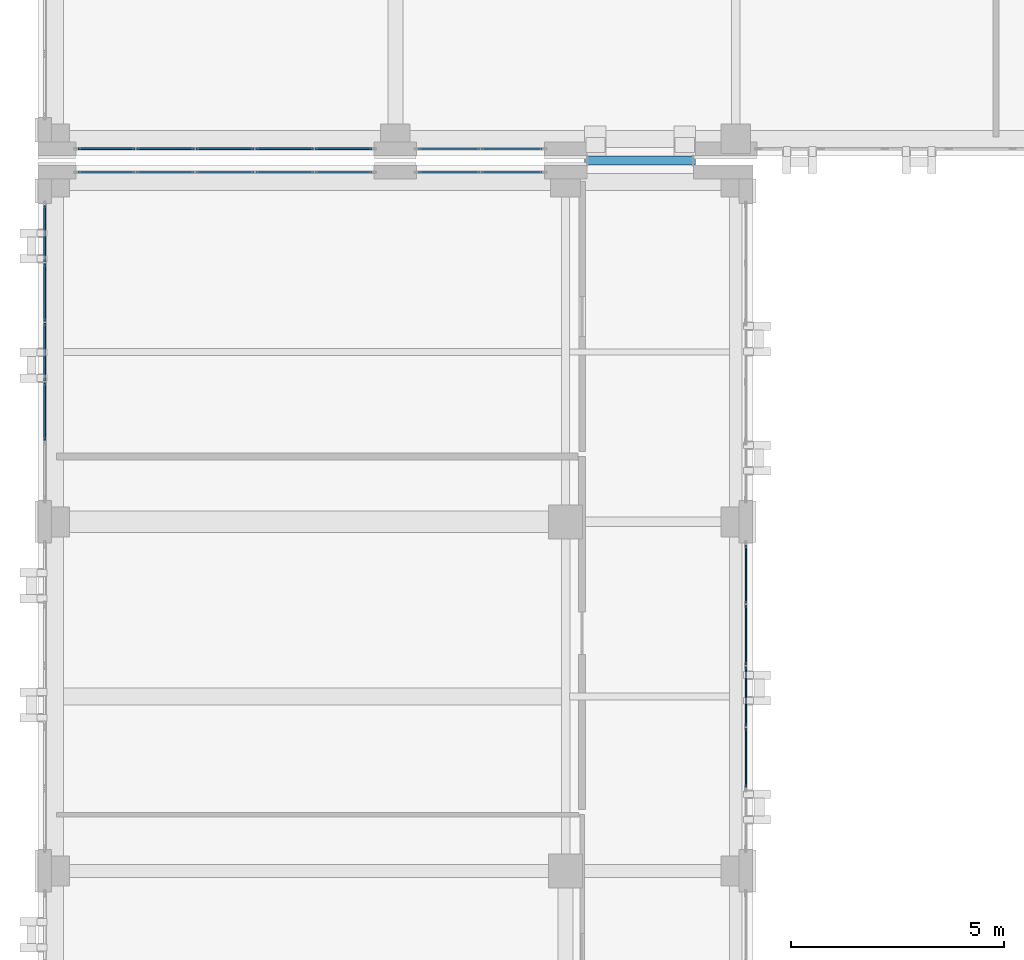
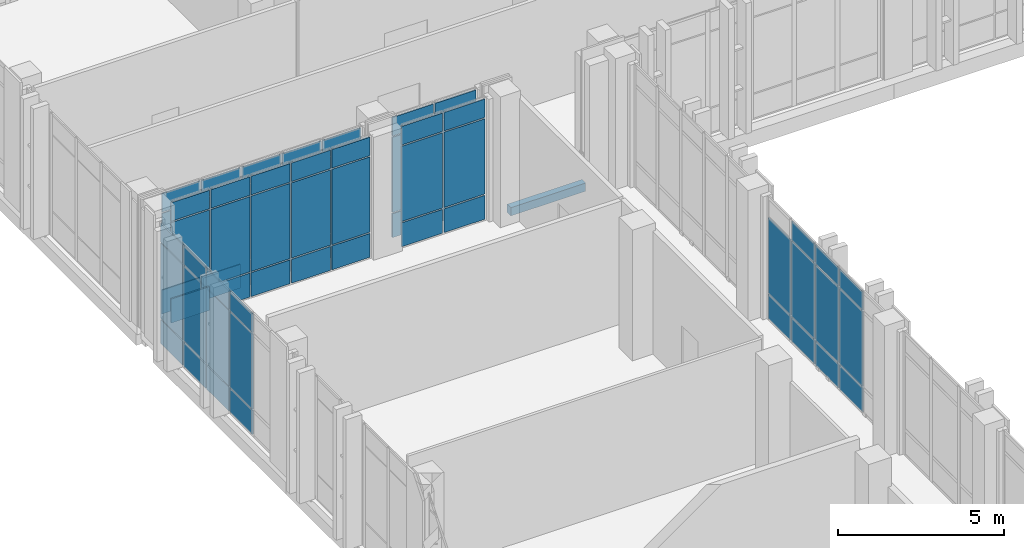
# One storey, part 141 of 189: 65 plates, 1 slab, 6 elements without a shape of their own.
"""IFC4 building model written with IfcOpenShell, lengths in metres."""

from ifc_helpers import new_model, si_unit, direction, frame, origin, origin_2d, place, context, subcontext, project, spatial, polyline, rectangle, outline, extrude, material, layer, layer_set, type_object, element, aggregate, save


model = new_model("IFC4")

# Units and contexts
model_context = context("Model", 3, precision=1e-05, world=origin(), true_north=direction((0.0, 1.0)))
body_context = subcontext(model_context, "Body", "Model", "MODEL_VIEW")
ifc_project = project(units=[si_unit("LENGTHUNIT", "METRE"), si_unit("AREAUNIT", "SQUARE_METRE"), si_unit("VOLUMEUNIT", "CUBIC_METRE"), si_unit("PLANEANGLEUNIT", "RADIAN"), si_unit("MASSUNIT", "GRAM", prefix="KILO")], contexts=[model_context])

# Site, building, storey
site_placement = place(None, origin())
site = spatial("IfcSite", under=ifc_project, at=site_placement, CompositionType="ELEMENT")
building_placement = place(site_placement, origin())
building = spatial("IfcBuilding", under=site, at=building_placement, Name="Qalavern Law Courts", CompositionType="ELEMENT")
storey_placement = place(building_placement, frame((0.0, 0.0, 5.39990234375)))
storey = spatial("IfcBuildingStorey", under=building, at=storey_placement, Name="L01", CompositionType="ELEMENT", Elevation=5.39990234375)

# Curtain wall, plates
ifc_material_1 = material(Name="Anodised aluminium and insulated glazing", Category="aluminium")
ifc_layer_1 = layer(ifc_material_1, 0.172119140625)
ifc_layer_set_1 = layer_set([ifc_layer_1], Name="Anodised aluminium and insulated glazing")
curtain_wall_type_1 = type_object("IfcCurtainWallType", Name="ENV-CW-COURT", PredefinedType="USERDEFINED", material=ifc_layer_set_1)
curtain_wall_1_placement = place(storey_placement, origin())
curtain_wall_1 = element("IfcCurtainWall", 1, at=curtain_wall_1_placement, inside=storey, type_object=curtain_wall_type_1, Name="V3 unitised curtain wall L01 east 6", ObjectType="UNITISED CURTAIN WALL", PredefinedType="USERDEFINED")
ifc_material_2 = material(Name="Insulated low-E acoustic glazing", Category="glass")
ifc_layer_2 = layer(ifc_material_2, 0.031982421875)
ifc_layer_set_2 = layer_set([ifc_layer_2], Name="Insulated low-E acoustic glazing")
plate_type_1 = type_object("IfcPlateType", Name="ENV-CWP-32", PredefinedType="CURTAIN_PANEL", material=ifc_layer_set_2)
plate_1_placement = place(storey_placement, frame((18.637451171875, 82.06005859375, 0.048095703125), z_axis=(0.0, 0.0, 1.0), x_axis=(0.0, 1.0, 0.0)))
plate_1 = element("IfcPlate", 2, at=plate_1_placement, type_object=plate_type_1, Name="CW-03 panel 2.1", PredefinedType="CURTAIN_PANEL", context=body_context, shape_type="SweptSolid", body=[
    extrude(rectangle(XDim=1.39208984375, YDim=0.031982421875, at=origin_2d()), origin(), (0.0, 0.0, 1.0), 0.8779296875),
])
plate_2_placement = place(storey_placement, frame((18.637451171875, 82.06005859375, 0.97412109375), z_axis=(0.0, 0.0, 1.0), x_axis=(0.0, 1.0, 0.0)))
plate_2 = element("IfcPlate", 3, at=plate_2_placement, type_object=plate_type_1, Name="CW-03 panel 2.2", PredefinedType="CURTAIN_PANEL", context=body_context, shape_type="SweptSolid", body=[
    extrude(rectangle(XDim=1.39208984375, YDim=0.031982421875, at=origin_2d()), origin(), (0.0, 0.0, 1.0), 2.761962890625),
])
plate_3_placement = place(storey_placement, frame((18.637451171875, 82.06005859375, 3.7841796875), z_axis=(0.0, 0.0, 1.0), x_axis=(0.0, 1.0, 0.0)))
plate_3 = element("IfcPlate", 4, at=plate_3_placement, type_object=plate_type_1, Name="CW-03 panel 2.3", PredefinedType="CURTAIN_PANEL", context=body_context, shape_type="SweptSolid", body=[
    extrude(rectangle(XDim=1.39208984375, YDim=0.031982421875, at=origin_2d()), origin(), (0.0, 0.0, 1.0), 0.677978515625),
])
plate_4_placement = place(storey_placement, frame((18.637451171875, 83.5, 0.048095703125), z_axis=(0.0, 0.0, 1.0), x_axis=(0.0, 1.0, 0.0)))
plate_4 = element("IfcPlate", 5, at=plate_4_placement, type_object=plate_type_1, Name="CW-03 panel 3.1", PredefinedType="CURTAIN_PANEL", context=body_context, shape_type="SweptSolid", body=[
    extrude(rectangle(XDim=1.39208984375, YDim=0.031982421875, at=origin_2d()), origin(), (0.0, 0.0, 1.0), 0.8779296875),
])
plate_5_placement = place(storey_placement, frame((18.637451171875, 83.5, 0.97412109375), z_axis=(0.0, 0.0, 1.0), x_axis=(0.0, 1.0, 0.0)))
plate_5 = element("IfcPlate", 6, at=plate_5_placement, type_object=plate_type_1, Name="CW-03 panel 3.2", PredefinedType="CURTAIN_PANEL", context=body_context, shape_type="SweptSolid", body=[
    extrude(rectangle(XDim=1.39208984375, YDim=0.031982421875, at=origin_2d()), origin(), (0.0, 0.0, 1.0), 2.761962890625),
])
plate_6_placement = place(storey_placement, frame((18.637451171875, 83.5, 3.7841796875), z_axis=(0.0, 0.0, 1.0), x_axis=(0.0, 1.0, 0.0)))
plate_6 = element("IfcPlate", 7, at=plate_6_placement, type_object=plate_type_1, Name="CW-03 panel 3.3", PredefinedType="CURTAIN_PANEL", context=body_context, shape_type="SweptSolid", body=[
    extrude(rectangle(XDim=1.39208984375, YDim=0.031982421875, at=origin_2d()), origin(), (0.0, 0.0, 1.0), 0.677978515625),
])
plate_7_placement = place(storey_placement, frame((18.637451171875, 84.93994140625, 0.048095703125), z_axis=(0.0, 0.0, 1.0), x_axis=(0.0, 1.0, 0.0)))
plate_7 = element("IfcPlate", 8, at=plate_7_placement, type_object=plate_type_1, Name="CW-03 panel 4.1", PredefinedType="CURTAIN_PANEL", context=body_context, shape_type="SweptSolid", body=[
    extrude(rectangle(XDim=1.39208984375, YDim=0.031982421875, at=origin_2d()), origin(), (0.0, 0.0, 1.0), 0.8779296875),
])
plate_8_placement = place(storey_placement, frame((18.637451171875, 84.93994140625, 0.97412109375), z_axis=(0.0, 0.0, 1.0), x_axis=(0.0, 1.0, 0.0)))
plate_8 = element("IfcPlate", 9, at=plate_8_placement, type_object=plate_type_1, Name="CW-03 panel 4.2", PredefinedType="CURTAIN_PANEL", context=body_context, shape_type="SweptSolid", body=[
    extrude(rectangle(XDim=1.39208984375, YDim=0.031982421875, at=origin_2d()), origin(), (0.0, 0.0, 1.0), 2.761962890625),
])
plate_9_placement = place(storey_placement, frame((18.637451171875, 84.93994140625, 3.7841796875), z_axis=(0.0, 0.0, 1.0), x_axis=(0.0, 1.0, 0.0)))
plate_9 = element("IfcPlate", 10, at=plate_9_placement, type_object=plate_type_1, Name="CW-03 panel 4.3", PredefinedType="CURTAIN_PANEL", context=body_context, shape_type="SweptSolid", body=[
    extrude(rectangle(XDim=1.39208984375, YDim=0.031982421875, at=origin_2d()), origin(), (0.0, 0.0, 1.0), 0.677978515625),
])
plate_10_placement = place(storey_placement, frame((18.637451171875, 86.367919921875, 0.048095703125), z_axis=(0.0, 0.0, 1.0), x_axis=(0.0, 1.0, 0.0)))
plate_10 = element("IfcPlate", 11, at=plate_10_placement, type_object=plate_type_1, Name="CW-03 panel 5.1", PredefinedType="CURTAIN_PANEL", context=body_context, shape_type="SweptSolid", body=[
    extrude(rectangle(XDim=1.367919921875, YDim=0.031982421875, at=origin_2d()), origin(), (0.0, 0.0, 1.0), 0.8779296875),
])
plate_11_placement = place(storey_placement, frame((18.637451171875, 86.367919921875, 0.97412109375), z_axis=(0.0, 0.0, 1.0), x_axis=(0.0, 1.0, 0.0)))
plate_11 = element("IfcPlate", 12, at=plate_11_placement, type_object=plate_type_1, Name="CW-03 panel 5.2", PredefinedType="CURTAIN_PANEL", context=body_context, shape_type="SweptSolid", body=[
    extrude(rectangle(XDim=1.367919921875, YDim=0.031982421875, at=origin_2d()), origin(), (0.0, 0.0, 1.0), 2.761962890625),
])
aggregate(curtain_wall_1, [plate_1, plate_2, plate_3, plate_4, plate_5, plate_6, plate_7, plate_8, plate_9, plate_10, plate_11])

curtain_wall_2_placement = place(storey_placement, origin())
curtain_wall_2 = element("IfcCurtainWall", 13, at=curtain_wall_2_placement, inside=storey, type_object=curtain_wall_type_1, Name="V3 unitised curtain wall L01 west 1", ObjectType="UNITISED CURTAIN WALL", PredefinedType="USERDEFINED")
ifc_layer_3 = layer(ifc_material_2, 0.0439453125)
ifc_layer_set_3 = layer_set([ifc_layer_3], Name="Insulated low-E acoustic glazing")
plate_type_2 = type_object("IfcPlateType", Name="ENV-CWP-44", PredefinedType="CURTAIN_PANEL", material=ifc_layer_set_3)
plate_12_placement = place(storey_placement, frame((2.16259765625, 94.3701171875, 0.048095703125), z_axis=(0.0, 0.0, 1.0), x_axis=(0.0, -1.0, 0.0)))
plate_12 = element("IfcPlate", 14, at=plate_12_placement, type_object=plate_type_2, Name="CW-03 panel 1.1", PredefinedType="CURTAIN_PANEL", context=body_context, shape_type="SweptSolid", body=[
    extrude(rectangle(XDim=1.323974609375, YDim=0.0439453125, at=origin_2d()), origin(), (0.0, 0.0, 1.0), 0.8779296875),
])
plate_13_placement = place(storey_placement, frame((2.16259765625, 94.3701171875, 0.97412109375), z_axis=(0.0, 0.0, 1.0), x_axis=(0.0, -1.0, 0.0)))
plate_13 = element("IfcPlate", 15, at=plate_13_placement, type_object=plate_type_2, Name="CW-03 panel 1.2", PredefinedType="CURTAIN_PANEL", context=body_context, shape_type="SweptSolid", body=[
    extrude(rectangle(XDim=1.323974609375, YDim=0.0439453125, at=origin_2d()), origin(), (0.0, 0.0, 1.0), 2.761962890625),
])
plate_14_placement = place(storey_placement, frame((2.16259765625, 94.3701171875, 3.7841796875), z_axis=(0.0, 0.0, 1.0), x_axis=(0.0, -1.0, 0.0)))
plate_14 = element("IfcPlate", 16, at=plate_14_placement, type_object=plate_type_2, Name="CW-03 panel 1.3", PredefinedType="CURTAIN_PANEL", context=body_context, shape_type="SweptSolid", body=[
    extrude(rectangle(XDim=1.323974609375, YDim=0.0439453125, at=origin_2d()), origin(), (0.0, 0.0, 1.0), 0.677978515625),
])
plate_15_placement = place(storey_placement, frame((2.16259765625, 92.986083984375, 0.048095703125), z_axis=(0.0, 0.0, 1.0), x_axis=(0.0, -1.0, 0.0)))
plate_15 = element("IfcPlate", 17, at=plate_15_placement, type_object=plate_type_2, Name="CW-03 panel 2.1", PredefinedType="CURTAIN_PANEL", context=body_context, shape_type="SweptSolid", body=[
    extrude(rectangle(XDim=1.347900390625, YDim=0.0439453125, at=origin_2d()), origin(), (0.0, 0.0, 1.0), 0.8779296875),
])
plate_16_placement = place(storey_placement, frame((2.16259765625, 92.986083984375, 0.97412109375), z_axis=(0.0, 0.0, 1.0), x_axis=(0.0, -1.0, 0.0)))
plate_16 = element("IfcPlate", 18, at=plate_16_placement, type_object=plate_type_2, Name="CW-03 panel 2.2", PredefinedType="CURTAIN_PANEL", context=body_context, shape_type="SweptSolid", body=[
    extrude(rectangle(XDim=1.347900390625, YDim=0.0439453125, at=origin_2d()), origin(), (0.0, 0.0, 1.0), 2.761962890625),
])
plate_17_placement = place(storey_placement, frame((2.16259765625, 92.986083984375, 3.7841796875), z_axis=(0.0, 0.0, 1.0), x_axis=(0.0, -1.0, 0.0)))
plate_17 = element("IfcPlate", 19, at=plate_17_placement, type_object=plate_type_2, Name="CW-03 panel 2.3", PredefinedType="CURTAIN_PANEL", context=body_context, shape_type="SweptSolid", body=[
    extrude(rectangle(XDim=1.347900390625, YDim=0.0439453125, at=origin_2d()), origin(), (0.0, 0.0, 1.0), 0.677978515625),
])
plate_18_placement = place(storey_placement, frame((2.16259765625, 91.590087890625, 0.048095703125), z_axis=(0.0, 0.0, 1.0), x_axis=(0.0, -1.0, 0.0)))
plate_18 = element("IfcPlate", 20, at=plate_18_placement, type_object=plate_type_2, Name="CW-03 panel 3.1", PredefinedType="CURTAIN_PANEL", context=body_context, shape_type="SweptSolid", body=[
    extrude(rectangle(XDim=1.347900390625, YDim=0.0439453125, at=origin_2d()), origin(), (0.0, 0.0, 1.0), 0.8779296875),
])
plate_19_placement = place(storey_placement, frame((2.16259765625, 91.590087890625, 0.97412109375), z_axis=(0.0, 0.0, 1.0), x_axis=(0.0, -1.0, 0.0)))
plate_19 = element("IfcPlate", 21, at=plate_19_placement, type_object=plate_type_2, Name="CW-03 panel 3.2", PredefinedType="CURTAIN_PANEL", context=body_context, shape_type="SweptSolid", body=[
    extrude(rectangle(XDim=1.347900390625, YDim=0.0439453125, at=origin_2d()), origin(), (0.0, 0.0, 1.0), 2.761962890625),
])
plate_20_placement = place(storey_placement, frame((2.16259765625, 91.590087890625, 3.7841796875), z_axis=(0.0, 0.0, 1.0), x_axis=(0.0, -1.0, 0.0)))
plate_20 = element("IfcPlate", 22, at=plate_20_placement, type_object=plate_type_2, Name="CW-03 panel 3.3", PredefinedType="CURTAIN_PANEL", context=body_context, shape_type="SweptSolid", body=[
    extrude(rectangle(XDim=1.347900390625, YDim=0.0439453125, at=origin_2d()), origin(), (0.0, 0.0, 1.0), 0.677978515625),
])
plate_21_placement = place(storey_placement, frame((2.16259765625, 90.194091796875, 0.048095703125), z_axis=(0.0, 0.0, 1.0), x_axis=(0.0, -1.0, 0.0)))
plate_21 = element("IfcPlate", 23, at=plate_21_placement, type_object=plate_type_2, Name="CW-03 panel 4.1", PredefinedType="CURTAIN_PANEL", context=body_context, shape_type="SweptSolid", body=[
    extrude(rectangle(XDim=1.347900390625, YDim=0.0439453125, at=origin_2d()), origin(), (0.0, 0.0, 1.0), 0.8779296875),
])
plate_22_placement = place(storey_placement, frame((2.16259765625, 90.194091796875, 0.97412109375), z_axis=(0.0, 0.0, 1.0), x_axis=(0.0, -1.0, 0.0)))
plate_22 = element("IfcPlate", 24, at=plate_22_placement, type_object=plate_type_2, Name="CW-03 panel 4.2", PredefinedType="CURTAIN_PANEL", context=body_context, shape_type="SweptSolid", body=[
    extrude(rectangle(XDim=1.347900390625, YDim=0.0439453125, at=origin_2d()), origin(), (0.0, 0.0, 1.0), 2.761962890625),
])
plate_23_placement = place(storey_placement, frame((2.16259765625, 90.194091796875, 3.7841796875), z_axis=(0.0, 0.0, 1.0), x_axis=(0.0, -1.0, 0.0)))
plate_23 = element("IfcPlate", 25, at=plate_23_placement, type_object=plate_type_2, Name="CW-03 panel 4.3", PredefinedType="CURTAIN_PANEL", context=body_context, shape_type="SweptSolid", body=[
    extrude(rectangle(XDim=1.347900390625, YDim=0.0439453125, at=origin_2d()), origin(), (0.0, 0.0, 1.0), 0.677978515625),
])
aggregate(curtain_wall_2, [plate_12, plate_13, plate_14, plate_15, plate_16, plate_17, plate_18, plate_19, plate_20, plate_21, plate_22, plate_23])

ifc_layer_4 = layer(ifc_material_1, 0.166015625)
ifc_layer_set_4 = layer_set([ifc_layer_4], Name="Anodised aluminium and insulated glazing")
curtain_wall_type_2 = type_object("IfcCurtainWallType", Name="ENV-CW-LIB", PredefinedType="USERDEFINED", material=ifc_layer_set_4)
curtain_wall_3_placement = place(storey_placement, origin())
curtain_wall_3 = element("IfcCurtainWall", 26, at=curtain_wall_3_placement, inside=storey, type_object=curtain_wall_type_2, Name="V5 unitised curtain wall L01 south 1", ObjectType="UNITISED CURTAIN WALL", PredefinedType="USERDEFINED")
plate_24_placement = place(storey_placement, frame((3.612060546875, 96.362548828125, 0.048095703125), z_axis=(0.0, 0.0, 1.0), x_axis=(1.0, 0.0, 0.0)))
plate_24 = element("IfcPlate", 27, at=plate_24_placement, type_object=plate_type_2, Name="CW-05 panel 1.1", PredefinedType="CURTAIN_PANEL", context=body_context, shape_type="SweptSolid", body=[
    extrude(rectangle(XDim=1.327880859375, YDim=0.0439453125, at=origin_2d()), origin(), (0.0, 0.0, 1.0), 0.8779296875),
])
plate_25_placement = place(storey_placement, frame((3.612060546875, 96.362548828125, 0.97412109375), z_axis=(0.0, 0.0, 1.0), x_axis=(1.0, 0.0, 0.0)))
plate_25 = element("IfcPlate", 28, at=plate_25_placement, type_object=plate_type_2, Name="CW-05 panel 1.2", PredefinedType="CURTAIN_PANEL", context=body_context, shape_type="SweptSolid", body=[
    extrude(rectangle(XDim=1.327880859375, YDim=0.0439453125, at=origin_2d()), origin(), (0.0, 0.0, 1.0), 2.761962890625),
])
plate_26_placement = place(storey_placement, frame((3.612060546875, 96.362548828125, 3.7841796875), z_axis=(0.0, 0.0, 1.0), x_axis=(1.0, 0.0, 0.0)))
plate_26 = element("IfcPlate", 29, at=plate_26_placement, type_object=plate_type_2, Name="CW-05 panel 1.3", PredefinedType="CURTAIN_PANEL", context=body_context, shape_type="SweptSolid", body=[
    extrude(rectangle(XDim=1.327880859375, YDim=0.0439453125, at=origin_2d()), origin(), (0.0, 0.0, 1.0), 0.677978515625),
])
plate_27_placement = place(storey_placement, frame((5.0, 96.362548828125, 0.048095703125), z_axis=(0.0, 0.0, 1.0), x_axis=(1.0, 0.0, 0.0)))
plate_27 = element("IfcPlate", 30, at=plate_27_placement, type_object=plate_type_2, Name="CW-05 panel 2.1", PredefinedType="CURTAIN_PANEL", context=body_context, shape_type="SweptSolid", body=[
    extrude(rectangle(XDim=1.35205078125, YDim=0.0439453125, at=origin_2d()), origin(), (0.0, 0.0, 1.0), 0.8779296875),
])
plate_28_placement = place(storey_placement, frame((5.0, 96.362548828125, 0.97412109375), z_axis=(0.0, 0.0, 1.0), x_axis=(1.0, 0.0, 0.0)))
plate_28 = element("IfcPlate", 31, at=plate_28_placement, type_object=plate_type_2, Name="CW-05 panel 2.2", PredefinedType="CURTAIN_PANEL", context=body_context, shape_type="SweptSolid", body=[
    extrude(rectangle(XDim=1.35205078125, YDim=0.0439453125, at=origin_2d()), origin(), (0.0, 0.0, 1.0), 2.761962890625),
])
plate_29_placement = place(storey_placement, frame((5.0, 96.362548828125, 3.7841796875), z_axis=(0.0, 0.0, 1.0), x_axis=(1.0, 0.0, 0.0)))
plate_29 = element("IfcPlate", 32, at=plate_29_placement, type_object=plate_type_2, Name="CW-05 panel 2.3", PredefinedType="CURTAIN_PANEL", context=body_context, shape_type="SweptSolid", body=[
    extrude(rectangle(XDim=1.35205078125, YDim=0.0439453125, at=origin_2d()), origin(), (0.0, 0.0, 1.0), 0.677978515625),
])
plate_30_placement = place(storey_placement, frame((6.39990234375, 96.362548828125, 0.048095703125), z_axis=(0.0, 0.0, 1.0), x_axis=(1.0, 0.0, 0.0)))
plate_30 = element("IfcPlate", 33, at=plate_30_placement, type_object=plate_type_2, Name="CW-05 panel 3.1", PredefinedType="CURTAIN_PANEL", context=body_context, shape_type="SweptSolid", body=[
    extrude(rectangle(XDim=1.35205078125, YDim=0.0439453125, at=origin_2d()), origin(), (0.0, 0.0, 1.0), 0.8779296875),
])
plate_31_placement = place(storey_placement, frame((6.39990234375, 96.362548828125, 0.97412109375), z_axis=(0.0, 0.0, 1.0), x_axis=(1.0, 0.0, 0.0)))
plate_31 = element("IfcPlate", 34, at=plate_31_placement, type_object=plate_type_2, Name="CW-05 panel 3.2", PredefinedType="CURTAIN_PANEL", context=body_context, shape_type="SweptSolid", body=[
    extrude(rectangle(XDim=1.35205078125, YDim=0.0439453125, at=origin_2d()), origin(), (0.0, 0.0, 1.0), 2.761962890625),
])
plate_32_placement = place(storey_placement, frame((6.39990234375, 96.362548828125, 3.7841796875), z_axis=(0.0, 0.0, 1.0), x_axis=(1.0, 0.0, 0.0)))
plate_32 = element("IfcPlate", 35, at=plate_32_placement, type_object=plate_type_2, Name="CW-05 panel 3.3", PredefinedType="CURTAIN_PANEL", context=body_context, shape_type="SweptSolid", body=[
    extrude(rectangle(XDim=1.35205078125, YDim=0.0439453125, at=origin_2d()), origin(), (0.0, 0.0, 1.0), 0.677978515625),
])
plate_33_placement = place(storey_placement, frame((7.800048828125, 96.362548828125, 0.048095703125), z_axis=(0.0, 0.0, 1.0), x_axis=(1.0, 0.0, 0.0)))
plate_33 = element("IfcPlate", 36, at=plate_33_placement, type_object=plate_type_2, Name="CW-05 panel 4.1", PredefinedType="CURTAIN_PANEL", context=body_context, shape_type="SweptSolid", body=[
    extrude(rectangle(XDim=1.35205078125, YDim=0.0439453125, at=origin_2d()), origin(), (0.0, 0.0, 1.0), 0.8779296875),
])
plate_34_placement = place(storey_placement, frame((7.800048828125, 96.362548828125, 0.97412109375), z_axis=(0.0, 0.0, 1.0), x_axis=(1.0, 0.0, 0.0)))
plate_34 = element("IfcPlate", 37, at=plate_34_placement, type_object=plate_type_2, Name="CW-05 panel 4.2", PredefinedType="CURTAIN_PANEL", context=body_context, shape_type="SweptSolid", body=[
    extrude(rectangle(XDim=1.35205078125, YDim=0.0439453125, at=origin_2d()), origin(), (0.0, 0.0, 1.0), 2.761962890625),
])
plate_35_placement = place(storey_placement, frame((7.800048828125, 96.362548828125, 3.7841796875), z_axis=(0.0, 0.0, 1.0), x_axis=(1.0, 0.0, 0.0)))
plate_35 = element("IfcPlate", 38, at=plate_35_placement, type_object=plate_type_2, Name="CW-05 panel 4.3", PredefinedType="CURTAIN_PANEL", context=body_context, shape_type="SweptSolid", body=[
    extrude(rectangle(XDim=1.35205078125, YDim=0.0439453125, at=origin_2d()), origin(), (0.0, 0.0, 1.0), 0.677978515625),
])
plate_36_placement = place(storey_placement, frame((9.18798828125, 96.362548828125, 0.048095703125), z_axis=(0.0, 0.0, 1.0), x_axis=(1.0, 0.0, 0.0)))
plate_36 = element("IfcPlate", 39, at=plate_36_placement, type_object=plate_type_2, Name="CW-05 panel 5.1", PredefinedType="CURTAIN_PANEL", context=body_context, shape_type="SweptSolid", body=[
    extrude(rectangle(XDim=1.327880859375, YDim=0.0439453125, at=origin_2d()), origin(), (0.0, 0.0, 1.0), 0.8779296875),
])
plate_37_placement = place(storey_placement, frame((9.18798828125, 96.362548828125, 0.97412109375), z_axis=(0.0, 0.0, 1.0), x_axis=(1.0, 0.0, 0.0)))
plate_37 = element("IfcPlate", 40, at=plate_37_placement, type_object=plate_type_2, Name="CW-05 panel 5.2", PredefinedType="CURTAIN_PANEL", context=body_context, shape_type="SweptSolid", body=[
    extrude(rectangle(XDim=1.327880859375, YDim=0.0439453125, at=origin_2d()), origin(), (0.0, 0.0, 1.0), 2.761962890625),
])
plate_38_placement = place(storey_placement, frame((9.18798828125, 96.362548828125, 3.7841796875), z_axis=(0.0, 0.0, 1.0), x_axis=(1.0, 0.0, 0.0)))
plate_38 = element("IfcPlate", 41, at=plate_38_placement, type_object=plate_type_2, Name="CW-05 panel 5.3", PredefinedType="CURTAIN_PANEL", context=body_context, shape_type="SweptSolid", body=[
    extrude(rectangle(XDim=1.327880859375, YDim=0.0439453125, at=origin_2d()), origin(), (0.0, 0.0, 1.0), 0.677978515625),
])
aggregate(curtain_wall_3, [plate_24, plate_25, plate_26, plate_27, plate_28, plate_29, plate_30, plate_31, plate_32, plate_33, plate_34, plate_35, plate_36, plate_37, plate_38])

curtain_wall_4_placement = place(storey_placement, origin())
curtain_wall_4 = element("IfcCurtainWall", 42, at=curtain_wall_4_placement, inside=storey, type_object=curtain_wall_type_1, Name="V3 unitised curtain wall L01 north 1", ObjectType="UNITISED CURTAIN WALL", PredefinedType="USERDEFINED")
ifc_layer_5 = layer(ifc_material_2, 0.048095703125)
ifc_layer_set_5 = layer_set([ifc_layer_5], Name="Insulated low-E acoustic glazing")
plate_type_3 = type_object("IfcPlateType", Name="ENV-CWP-48", PredefinedType="CURTAIN_PANEL", material=ifc_layer_set_5)
plate_39_placement = place(storey_placement, frame((13.137939453125, 95.8173828125, 0.048095703125), z_axis=(0.0, 0.0, 1.0), x_axis=(-1.0, 0.0, 0.0)))
plate_39 = element("IfcPlate", 43, at=plate_39_placement, type_object=plate_type_3, Name="CW-03 panel 1.1", PredefinedType="CURTAIN_PANEL", context=body_context, shape_type="SweptSolid", body=[
    extrude(rectangle(XDim=1.427978515625, YDim=0.048095703125, at=origin_2d()), origin(), (0.0, 0.0, 1.0), 0.8779296875),
])
plate_40_placement = place(storey_placement, frame((13.137939453125, 95.8173828125, 0.97412109375), z_axis=(0.0, 0.0, 1.0), x_axis=(-1.0, 0.0, 0.0)))
plate_40 = element("IfcPlate", 44, at=plate_40_placement, type_object=plate_type_3, Name="CW-03 panel 1.2", PredefinedType="CURTAIN_PANEL", context=body_context, shape_type="SweptSolid", body=[
    extrude(rectangle(XDim=1.427978515625, YDim=0.048095703125, at=origin_2d()), origin(), (0.0, 0.0, 1.0), 2.761962890625),
])
plate_41_placement = place(storey_placement, frame((13.137939453125, 95.8173828125, 3.7841796875), z_axis=(0.0, 0.0, 1.0), x_axis=(-1.0, 0.0, 0.0)))
plate_41 = element("IfcPlate", 45, at=plate_41_placement, type_object=plate_type_3, Name="CW-03 panel 1.3", PredefinedType="CURTAIN_PANEL", context=body_context, shape_type="SweptSolid", body=[
    extrude(rectangle(XDim=1.427978515625, YDim=0.048095703125, at=origin_2d()), origin(), (0.0, 0.0, 1.0), 0.677978515625),
])
plate_42_placement = place(storey_placement, frame((11.662109375, 95.8173828125, 0.048095703125), z_axis=(0.0, 0.0, 1.0), x_axis=(-1.0, 0.0, 0.0)))
plate_42 = element("IfcPlate", 46, at=plate_42_placement, type_object=plate_type_3, Name="CW-03 panel 2.1", PredefinedType="CURTAIN_PANEL", context=body_context, shape_type="SweptSolid", body=[
    extrude(rectangle(XDim=1.427978515625, YDim=0.048095703125, at=origin_2d()), origin(), (0.0, 0.0, 1.0), 0.8779296875),
])
plate_43_placement = place(storey_placement, frame((11.662109375, 95.8173828125, 0.97412109375), z_axis=(0.0, 0.0, 1.0), x_axis=(-1.0, 0.0, 0.0)))
plate_43 = element("IfcPlate", 47, at=plate_43_placement, type_object=plate_type_3, Name="CW-03 panel 2.2", PredefinedType="CURTAIN_PANEL", context=body_context, shape_type="SweptSolid", body=[
    extrude(rectangle(XDim=1.427978515625, YDim=0.048095703125, at=origin_2d()), origin(), (0.0, 0.0, 1.0), 2.761962890625),
])
plate_44_placement = place(storey_placement, frame((11.662109375, 95.8173828125, 3.7841796875), z_axis=(0.0, 0.0, 1.0), x_axis=(-1.0, 0.0, 0.0)))
plate_44 = element("IfcPlate", 48, at=plate_44_placement, type_object=plate_type_3, Name="CW-03 panel 2.3", PredefinedType="CURTAIN_PANEL", context=body_context, shape_type="SweptSolid", body=[
    extrude(rectangle(XDim=1.427978515625, YDim=0.048095703125, at=origin_2d()), origin(), (0.0, 0.0, 1.0), 0.677978515625),
])
aggregate(curtain_wall_4, [plate_39, plate_40, plate_41, plate_42, plate_43, plate_44])

curtain_wall_5_placement = place(storey_placement, origin())
curtain_wall_5 = element("IfcCurtainWall", 49, at=curtain_wall_5_placement, inside=storey, type_object=curtain_wall_type_2, Name="V5 unitised curtain wall L01 south 2", ObjectType="UNITISED CURTAIN WALL", PredefinedType="USERDEFINED")
plate_45_placement = place(storey_placement, frame((11.662109375, 96.362548828125, 0.048095703125), z_axis=(0.0, 0.0, 1.0), x_axis=(1.0, 0.0, 0.0)))
plate_45 = element("IfcPlate", 50, at=plate_45_placement, type_object=plate_type_3, Name="CW-05 panel 1.1", PredefinedType="CURTAIN_PANEL", context=body_context, shape_type="SweptSolid", body=[
    extrude(rectangle(XDim=1.427978515625, YDim=0.048095703125, at=origin_2d()), origin(), (0.0, 0.0, 1.0), 0.8779296875),
])
plate_46_placement = place(storey_placement, frame((11.662109375, 96.362548828125, 0.97412109375), z_axis=(0.0, 0.0, 1.0), x_axis=(1.0, 0.0, 0.0)))
plate_46 = element("IfcPlate", 51, at=plate_46_placement, type_object=plate_type_3, Name="CW-05 panel 1.2", PredefinedType="CURTAIN_PANEL", context=body_context, shape_type="SweptSolid", body=[
    extrude(rectangle(XDim=1.427978515625, YDim=0.048095703125, at=origin_2d()), origin(), (0.0, 0.0, 1.0), 2.761962890625),
])
plate_47_placement = place(storey_placement, frame((11.662109375, 96.362548828125, 3.7841796875), z_axis=(0.0, 0.0, 1.0), x_axis=(1.0, 0.0, 0.0)))
plate_47 = element("IfcPlate", 52, at=plate_47_placement, type_object=plate_type_3, Name="CW-05 panel 1.3", PredefinedType="CURTAIN_PANEL", context=body_context, shape_type="SweptSolid", body=[
    extrude(rectangle(XDim=1.427978515625, YDim=0.048095703125, at=origin_2d()), origin(), (0.0, 0.0, 1.0), 0.677978515625),
])
plate_48_placement = place(storey_placement, frame((13.137939453125, 96.362548828125, 0.048095703125), z_axis=(0.0, 0.0, 1.0), x_axis=(1.0, 0.0, 0.0)))
plate_48 = element("IfcPlate", 53, at=plate_48_placement, type_object=plate_type_3, Name="CW-05 panel 2.1", PredefinedType="CURTAIN_PANEL", context=body_context, shape_type="SweptSolid", body=[
    extrude(rectangle(XDim=1.427978515625, YDim=0.048095703125, at=origin_2d()), origin(), (0.0, 0.0, 1.0), 0.8779296875),
])
plate_49_placement = place(storey_placement, frame((13.137939453125, 96.362548828125, 0.97412109375), z_axis=(0.0, 0.0, 1.0), x_axis=(1.0, 0.0, 0.0)))
plate_49 = element("IfcPlate", 54, at=plate_49_placement, type_object=plate_type_3, Name="CW-05 panel 2.2", PredefinedType="CURTAIN_PANEL", context=body_context, shape_type="SweptSolid", body=[
    extrude(rectangle(XDim=1.427978515625, YDim=0.048095703125, at=origin_2d()), origin(), (0.0, 0.0, 1.0), 2.761962890625),
])
plate_50_placement = place(storey_placement, frame((13.137939453125, 96.362548828125, 3.7841796875), z_axis=(0.0, 0.0, 1.0), x_axis=(1.0, 0.0, 0.0)))
plate_50 = element("IfcPlate", 55, at=plate_50_placement, type_object=plate_type_3, Name="CW-05 panel 2.3", PredefinedType="CURTAIN_PANEL", context=body_context, shape_type="SweptSolid", body=[
    extrude(rectangle(XDim=1.427978515625, YDim=0.048095703125, at=origin_2d()), origin(), (0.0, 0.0, 1.0), 0.677978515625),
])
aggregate(curtain_wall_5, [plate_45, plate_46, plate_47, plate_48, plate_49, plate_50])

curtain_wall_6_placement = place(storey_placement, origin())
curtain_wall_6 = element("IfcCurtainWall", 56, at=curtain_wall_6_placement, inside=storey, type_object=curtain_wall_type_1, Name="V3 unitised curtain wall L01 north 2", ObjectType="UNITISED CURTAIN WALL", PredefinedType="USERDEFINED")
ifc_layer_6 = layer(ifc_material_2, 0.052001953125)
ifc_layer_set_6 = layer_set([ifc_layer_6], Name="Insulated low-E acoustic glazing")
plate_type_4 = type_object("IfcPlateType", Name="ENV-CWP-52", PredefinedType="CURTAIN_PANEL", material=ifc_layer_set_6)
plate_51_placement = place(storey_placement, frame((9.18798828125, 95.8173828125, 0.048095703125), z_axis=(0.0, 0.0, 1.0), x_axis=(-1.0, 0.0, 0.0)))
plate_51 = element("IfcPlate", 57, at=plate_51_placement, type_object=plate_type_4, Name="CW-03 panel 1.1", PredefinedType="CURTAIN_PANEL", context=body_context, shape_type="SweptSolid", body=[
    extrude(rectangle(XDim=1.327880859375, YDim=0.052001953125, at=origin_2d()), origin(), (0.0, 0.0, 1.0), 0.8779296875),
])
plate_52_placement = place(storey_placement, frame((9.18798828125, 95.8173828125, 0.97412109375), z_axis=(0.0, 0.0, 1.0), x_axis=(-1.0, 0.0, 0.0)))
plate_52 = element("IfcPlate", 58, at=plate_52_placement, type_object=plate_type_4, Name="CW-03 panel 1.2", PredefinedType="CURTAIN_PANEL", context=body_context, shape_type="SweptSolid", body=[
    extrude(rectangle(XDim=1.327880859375, YDim=0.052001953125, at=origin_2d()), origin(), (0.0, 0.0, 1.0), 2.761962890625),
])
plate_53_placement = place(storey_placement, frame((9.18798828125, 95.8173828125, 3.7841796875), z_axis=(0.0, 0.0, 1.0), x_axis=(-1.0, 0.0, 0.0)))
plate_53 = element("IfcPlate", 59, at=plate_53_placement, type_object=plate_type_4, Name="CW-03 panel 1.3", PredefinedType="CURTAIN_PANEL", context=body_context, shape_type="SweptSolid", body=[
    extrude(rectangle(XDim=1.327880859375, YDim=0.052001953125, at=origin_2d()), origin(), (0.0, 0.0, 1.0), 0.677978515625),
])
plate_54_placement = place(storey_placement, frame((7.800048828125, 95.8173828125, 0.048095703125), z_axis=(0.0, 0.0, 1.0), x_axis=(-1.0, 0.0, 0.0)))
plate_54 = element("IfcPlate", 60, at=plate_54_placement, type_object=plate_type_4, Name="CW-03 panel 2.1", PredefinedType="CURTAIN_PANEL", context=body_context, shape_type="SweptSolid", body=[
    extrude(rectangle(XDim=1.35205078125, YDim=0.052001953125, at=origin_2d()), origin(), (0.0, 0.0, 1.0), 0.8779296875),
])
plate_55_placement = place(storey_placement, frame((7.800048828125, 95.8173828125, 0.97412109375), z_axis=(0.0, 0.0, 1.0), x_axis=(-1.0, 0.0, 0.0)))
plate_55 = element("IfcPlate", 61, at=plate_55_placement, type_object=plate_type_4, Name="CW-03 panel 2.2", PredefinedType="CURTAIN_PANEL", context=body_context, shape_type="SweptSolid", body=[
    extrude(rectangle(XDim=1.35205078125, YDim=0.052001953125, at=origin_2d()), origin(), (0.0, 0.0, 1.0), 2.761962890625),
])
plate_56_placement = place(storey_placement, frame((7.800048828125, 95.8173828125, 3.7841796875), z_axis=(0.0, 0.0, 1.0), x_axis=(-1.0, 0.0, 0.0)))
plate_56 = element("IfcPlate", 62, at=plate_56_placement, type_object=plate_type_4, Name="CW-03 panel 2.3", PredefinedType="CURTAIN_PANEL", context=body_context, shape_type="SweptSolid", body=[
    extrude(rectangle(XDim=1.35205078125, YDim=0.052001953125, at=origin_2d()), origin(), (0.0, 0.0, 1.0), 0.677978515625),
])
plate_57_placement = place(storey_placement, frame((6.39990234375, 95.8173828125, 0.048095703125), z_axis=(0.0, 0.0, 1.0), x_axis=(-1.0, 0.0, 0.0)))
plate_57 = element("IfcPlate", 63, at=plate_57_placement, type_object=plate_type_4, Name="CW-03 panel 3.1", PredefinedType="CURTAIN_PANEL", context=body_context, shape_type="SweptSolid", body=[
    extrude(rectangle(XDim=1.35205078125, YDim=0.052001953125, at=origin_2d()), origin(), (0.0, 0.0, 1.0), 0.8779296875),
])
plate_58_placement = place(storey_placement, frame((6.39990234375, 95.8173828125, 0.97412109375), z_axis=(0.0, 0.0, 1.0), x_axis=(-1.0, 0.0, 0.0)))
plate_58 = element("IfcPlate", 64, at=plate_58_placement, type_object=plate_type_4, Name="CW-03 panel 3.2", PredefinedType="CURTAIN_PANEL", context=body_context, shape_type="SweptSolid", body=[
    extrude(rectangle(XDim=1.35205078125, YDim=0.052001953125, at=origin_2d()), origin(), (0.0, 0.0, 1.0), 2.761962890625),
])
plate_59_placement = place(storey_placement, frame((6.39990234375, 95.8173828125, 3.7841796875), z_axis=(0.0, 0.0, 1.0), x_axis=(-1.0, 0.0, 0.0)))
plate_59 = element("IfcPlate", 65, at=plate_59_placement, type_object=plate_type_4, Name="CW-03 panel 3.3", PredefinedType="CURTAIN_PANEL", context=body_context, shape_type="SweptSolid", body=[
    extrude(rectangle(XDim=1.35205078125, YDim=0.052001953125, at=origin_2d()), origin(), (0.0, 0.0, 1.0), 0.677978515625),
])
plate_60_placement = place(storey_placement, frame((5.0, 95.8173828125, 0.048095703125), z_axis=(0.0, 0.0, 1.0), x_axis=(-1.0, 0.0, 0.0)))
plate_60 = element("IfcPlate", 66, at=plate_60_placement, type_object=plate_type_4, Name="CW-03 panel 4.1", PredefinedType="CURTAIN_PANEL", context=body_context, shape_type="SweptSolid", body=[
    extrude(rectangle(XDim=1.35205078125, YDim=0.052001953125, at=origin_2d()), origin(), (0.0, 0.0, 1.0), 0.8779296875),
])
plate_61_placement = place(storey_placement, frame((5.0, 95.8173828125, 0.97412109375), z_axis=(0.0, 0.0, 1.0), x_axis=(-1.0, 0.0, 0.0)))
plate_61 = element("IfcPlate", 67, at=plate_61_placement, type_object=plate_type_4, Name="CW-03 panel 4.2", PredefinedType="CURTAIN_PANEL", context=body_context, shape_type="SweptSolid", body=[
    extrude(rectangle(XDim=1.35205078125, YDim=0.052001953125, at=origin_2d()), origin(), (0.0, 0.0, 1.0), 2.761962890625),
])
plate_62_placement = place(storey_placement, frame((5.0, 95.8173828125, 3.7841796875), z_axis=(0.0, 0.0, 1.0), x_axis=(-1.0, 0.0, 0.0)))
plate_62 = element("IfcPlate", 68, at=plate_62_placement, type_object=plate_type_4, Name="CW-03 panel 4.3", PredefinedType="CURTAIN_PANEL", context=body_context, shape_type="SweptSolid", body=[
    extrude(rectangle(XDim=1.35205078125, YDim=0.052001953125, at=origin_2d()), origin(), (0.0, 0.0, 1.0), 0.677978515625),
])
plate_63_placement = place(storey_placement, frame((3.612060546875, 95.8173828125, 0.048095703125), z_axis=(0.0, 0.0, 1.0), x_axis=(-1.0, 0.0, 0.0)))
plate_63 = element("IfcPlate", 69, at=plate_63_placement, type_object=plate_type_4, Name="CW-03 panel 5.1", PredefinedType="CURTAIN_PANEL", context=body_context, shape_type="SweptSolid", body=[
    extrude(rectangle(XDim=1.327880859375, YDim=0.052001953125, at=origin_2d()), origin(), (0.0, 0.0, 1.0), 0.8779296875),
])
plate_64_placement = place(storey_placement, frame((3.612060546875, 95.8173828125, 0.97412109375), z_axis=(0.0, 0.0, 1.0), x_axis=(-1.0, 0.0, 0.0)))
plate_64 = element("IfcPlate", 70, at=plate_64_placement, type_object=plate_type_4, Name="CW-03 panel 5.2", PredefinedType="CURTAIN_PANEL", context=body_context, shape_type="SweptSolid", body=[
    extrude(rectangle(XDim=1.327880859375, YDim=0.052001953125, at=origin_2d()), origin(), (0.0, 0.0, 1.0), 2.761962890625),
])
plate_65_placement = place(storey_placement, frame((3.612060546875, 95.8173828125, 3.7841796875), z_axis=(0.0, 0.0, 1.0), x_axis=(-1.0, 0.0, 0.0)))
plate_65 = element("IfcPlate", 71, at=plate_65_placement, type_object=plate_type_4, Name="CW-03 panel 5.3", PredefinedType="CURTAIN_PANEL", context=body_context, shape_type="SweptSolid", body=[
    extrude(rectangle(XDim=1.327880859375, YDim=0.052001953125, at=origin_2d()), origin(), (0.0, 0.0, 1.0), 0.677978515625),
])
aggregate(curtain_wall_6, [plate_51, plate_52, plate_53, plate_54, plate_55, plate_56, plate_57, plate_58, plate_59, plate_60, plate_61, plate_62, plate_63, plate_64, plate_65])

# Slab
ifc_material_3 = material(Name="Concrete C40/50", Category="concrete")
ifc_layer_7 = layer(ifc_material_3, 0.300048828125)
ifc_layer_set_7 = layer_set([ifc_layer_7], Name="Concrete C40/50")
slab_type = type_object("IfcSlabType", Name="STR-SLB-L01-300", PredefinedType="FLOOR", material=ifc_layer_set_7)
slab_placement = place(storey_placement, frame((0.0, 0.0, -0.2998046875)))
element("IfcSlab", 72, at=slab_placement, inside=storey, type_object=slab_type, Name="Bridge BR-V3-V5 deck slab L01", PredefinedType="FLOOR", context=body_context, shape_type="SweptSolid", body=[
    extrude(outline(polyline([(14.85009765625, 95.97998046875), (17.449951171875, 95.97998046875), (17.449951171875, 96.199951171875), (14.85009765625, 96.199951171875), (14.85009765625, 95.97998046875)])), origin(), (0.0, 0.0, 1.0), 0.2998046875),
])

save(model, "model.ifc")
